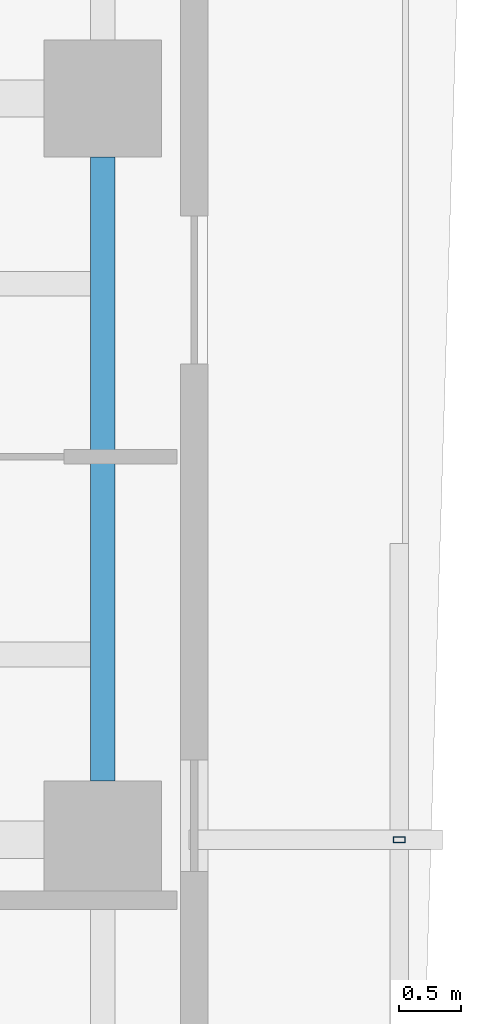
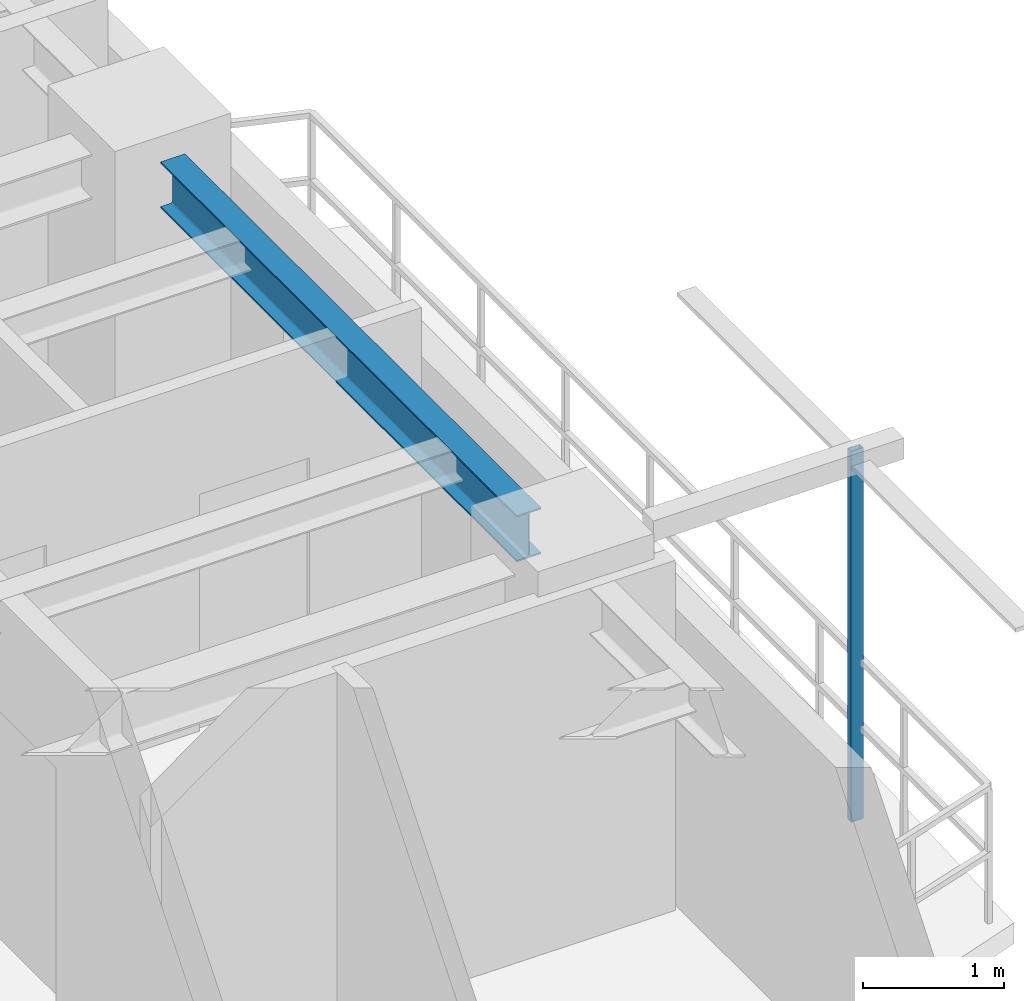
# One storey, part 7 of 18: 1 beam, 1 member.
"""IFC4 building model written with IfcOpenShell, lengths in metres."""

from ifc_helpers import new_model, si_unit, direction, frame, origin, origin_2d, place, context, subcontext, project, spatial, hollow_rectangle, i_section, extrude, source, transform, mapped, material, material_profile, profile_set, type_object, element, save


model = new_model("IFC4")

# Units and contexts
model_context = context("Model", 3, precision=1e-05, world=origin(), true_north=direction((0.0, 1.0)))
body_context = subcontext(model_context, "Body", "Model", "MODEL_VIEW")
ifc_project = project(units=[si_unit("LENGTHUNIT", "METRE"), si_unit("AREAUNIT", "SQUARE_METRE"), si_unit("VOLUMEUNIT", "CUBIC_METRE"), si_unit("PLANEANGLEUNIT", "RADIAN"), si_unit("MASSUNIT", "GRAM", prefix="KILO"), si_unit("THERMODYNAMICTEMPERATUREUNIT", "KELVIN"), si_unit("POWERUNIT", "WATT")], contexts=[model_context])

# Site, building, storey
site_placement = place(None, origin())
site = spatial("IfcSite", under=ifc_project, at=site_placement, CompositionType="ELEMENT")
building_placement = place(site_placement, origin())
building = spatial("IfcBuilding", under=site, at=building_placement, Name="Qiaomeng Ring Towers", CompositionType="ELEMENT")
storey_placement = place(building_placement, frame((0.0, 0.0, 182.75)))
storey = spatial("IfcBuildingStorey", under=building, at=storey_placement, Name="L53", CompositionType="ELEMENT", Elevation=182.75)

# Beam
ifc_material_1 = material(Name="Steel Q355B", Category="steel")
ifc_material_profile_1 = material_profile(ifc_material_1, i_section(OverallWidth=0.199951171875, OverallDepth=0.39990234375, WebThickness=0.008056640625, FlangeThickness=0.012939453125, FilletRadius=0.01611328125, at=origin_2d()), Name="HN 400x200x8x13")
ifc_profile_set_1 = profile_set([ifc_material_profile_1], Name="Steel Q355B")
beam_type = type_object("IfcBeamType", Name="STR-BM-HN400", PredefinedType="SPANDREL", material=ifc_profile_set_1)
shared_shape_1 = source(origin(), body_context, "Body", "SweptSolid", [
    extrude(i_section(OverallWidth=0.199951171875, OverallDepth=0.39990234375, WebThickness=0.008056640625, FlangeThickness=0.012939453125, FilletRadius=0.01611328125, at=origin_2d()), origin(), (0.0, 0.0, 1.0), 5.0517578125),
])
beam_placement = place(storey_placement, frame((36.050048828125, 20.47412109375, 2.830078125), z_axis=(0.0, 1.0, 0.0), x_axis=(-1.0, 0.0, 0.0)))
element("IfcBeam", 1, at=beam_placement, inside=storey, type_object=beam_type, Name="L53 beam STR-SP-L53-T1-E2-E3", PredefinedType="SPANDREL", context=body_context, shape_type="MappedRepresentation", body=[
    mapped(shared_shape_1, transform((0.0, 0.0, 0.0), x_axis=(1.0, 0.0, 0.0), y_axis=(0.0, 1.0, 0.0), z_axis=(0.0, 0.0, 1.0), scale=1.0)),
])

# Member
ifc_material_2 = material(Name="Stainless steel 316", Category="steel")
ifc_material_profile_2 = material_profile(ifc_material_2, hollow_rectangle(XDim=0.050048828125, YDim=0.10009765625, WallThickness=0.00390625, at=origin_2d()), Name="SS TRELLIS 100x50")
ifc_profile_set_2 = profile_set([ifc_material_profile_2], Name="Stainless steel 316")
member_type = type_object("IfcMemberType", Name="ARC-TR-POST2", PredefinedType="STUD", material=ifc_profile_set_2)
shared_shape_2 = source(origin(), body_context, "Body", "SweptSolid", [
    extrude(hollow_rectangle(XDim=0.050048828125, YDim=0.10009765625, WallThickness=0.00390625, at=origin_2d()), origin(), (0.0, 0.0, 1.0), 3.2099609375),
])
member_placement = place(storey_placement, frame((38.449951171875, 20.0, -0.179931640625), z_axis=(0.0, 0.0, 1.0), x_axis=(0.0, 1.0, 0.0)))
element("IfcMember", 2, at=member_placement, inside=storey, type_object=member_type, Name="L53 Outer Ventilated Trellis Post E", PredefinedType="STUD", context=body_context, shape_type="MappedRepresentation", body=[
    mapped(shared_shape_2, transform((0.0, 0.0, 0.0), x_axis=(1.0, 0.0, 0.0), y_axis=(0.0, 1.0, 0.0), z_axis=(0.0, 0.0, 1.0), scale=1.0)),
])

save(model, "model.ifc")
